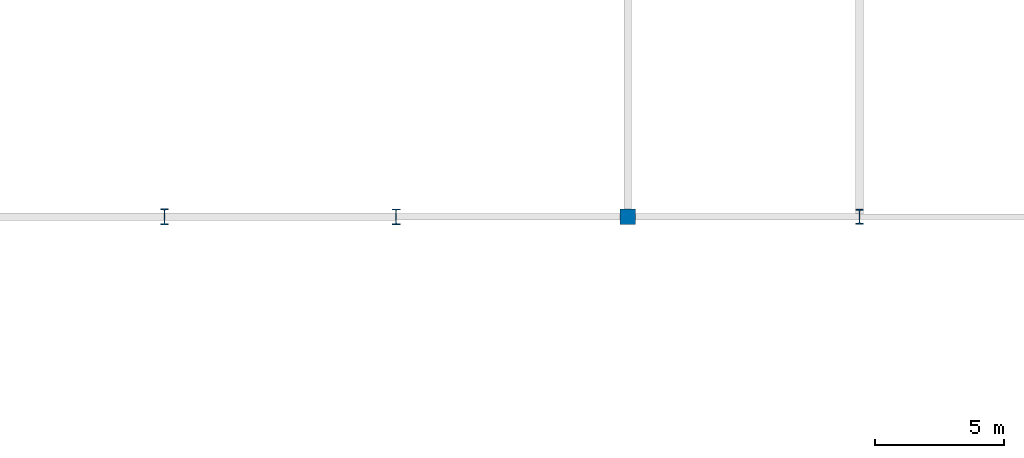
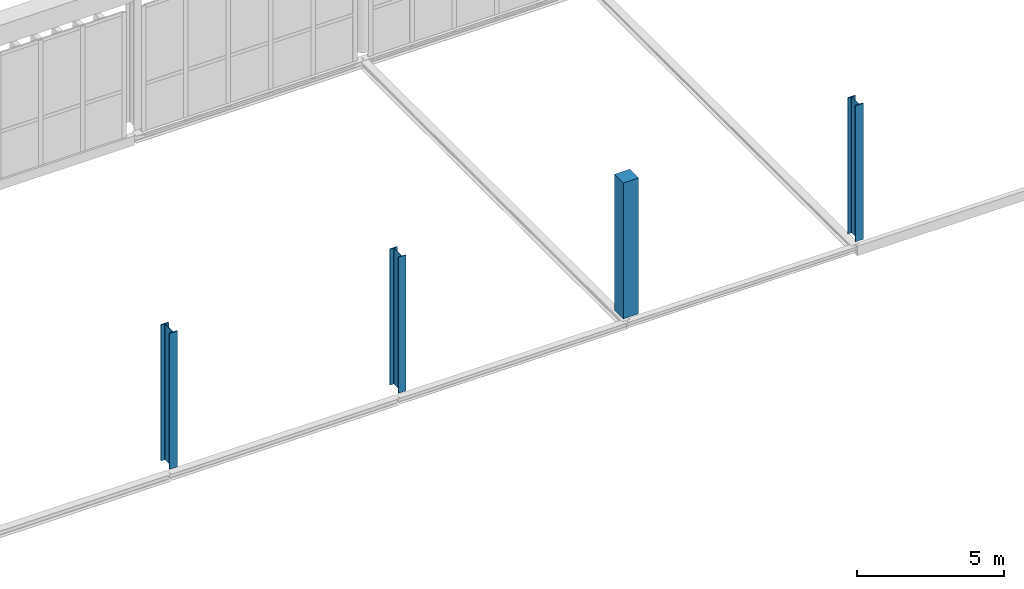
# One storey, part 9 of 237: 4 columns.
"""IFC4 building model written with IfcOpenShell, lengths in metres."""

from ifc_helpers import new_model, si_unit, direction, frame, origin, origin_2d, place, context, subcontext, project, spatial, rectangle, i_section, extrude, material, material_profile, profile_set, type_object, element, save


model = new_model("IFC4")

# Units and contexts
model_context = context("Model", 3, precision=1e-05, world=origin(), true_north=direction((0.0, 1.0)))
body_context = subcontext(model_context, "Body", "Model", "MODEL_VIEW")
ifc_project = project(units=[si_unit("LENGTHUNIT", "METRE"), si_unit("AREAUNIT", "SQUARE_METRE"), si_unit("VOLUMEUNIT", "CUBIC_METRE"), si_unit("PLANEANGLEUNIT", "RADIAN"), si_unit("MASSUNIT", "GRAM", prefix="KILO")], contexts=[model_context])

# Site, building, storey
site_placement = place(None, origin())
site = spatial("IfcSite", under=ifc_project, at=site_placement, CompositionType="ELEMENT")
building_placement = place(site_placement, origin())
building = spatial("IfcBuilding", under=site, at=building_placement, Name="Barlavento Convention Centre", CompositionType="ELEMENT")
storey_placement = place(building_placement, frame((0.0, 0.0, 12.0)))
storey = spatial("IfcBuildingStorey", under=building, at=storey_placement, Name="L02", CompositionType="ELEMENT", Elevation=12.0)

# Columns
ifc_material_1 = material(Name="Steel S355", Category="steel")
ifc_material_profile_1 = material_profile(ifc_material_1, i_section(OverallWidth=0.300048828125, OverallDepth=0.60009765625, WebThickness=0.015380859375, FlangeThickness=0.030029296875, FilletRadius=0.027099609375, at=origin_2d()), Name="HEB 600")
ifc_profile_set_1 = profile_set([ifc_material_profile_1], Name="Steel S355")
column_type_1 = type_object("IfcColumnType", Name="STR-COL-HEB600", PredefinedType="COLUMN", material=ifc_profile_set_1)
column_1_placement = place(storey_placement, frame((45.0, 117.0, 0.0), z_axis=(0.0, 0.0, 1.0), x_axis=(1.0, 0.0, 0.0)))
element("IfcColumn", 1, at=column_1_placement, inside=storey, type_object=column_type_1, Name="L02 column SC08", PredefinedType="COLUMN", context=body_context, shape_type="SweptSolid", body=[
    extrude(i_section(OverallWidth=0.300048828125, OverallDepth=0.60009765625, WebThickness=0.015380859375, FlangeThickness=0.030029296875, FilletRadius=0.027099609375, at=origin_2d()), origin(), (0.0, 0.0, 1.0), 5.655029296875),
])
ifc_material_profile_2 = material_profile(ifc_material_1, i_section(OverallWidth=0.305908203125, OverallDepth=0.572021484375, WebThickness=0.02099609375, FlangeThickness=0.0400390625, FilletRadius=0.027099609375, at=origin_2d()), Name="HEM 550")
ifc_profile_set_2 = profile_set([ifc_material_profile_2], Name="Steel S355")
column_type_2 = type_object("IfcColumnType", Name="STR-COL-HEM550", PredefinedType="COLUMN", material=ifc_profile_set_2)
column_2_placement = place(storey_placement, frame((63.0, 117.0, 0.0), z_axis=(0.0, 0.0, 1.0), x_axis=(1.0, 0.0, 0.0)))
element("IfcColumn", 2, at=column_2_placement, inside=storey, type_object=column_type_2, Name="L02 column SC06", PredefinedType="COLUMN", context=body_context, shape_type="SweptSolid", body=[
    extrude(i_section(OverallWidth=0.305908203125, OverallDepth=0.572021484375, WebThickness=0.02099609375, FlangeThickness=0.0400390625, FilletRadius=0.027099609375, at=origin_2d()), origin(), (0.0, 0.0, 1.0), 5.655029296875),
])
ifc_material_profile_3 = material_profile(ifc_material_1, i_section(OverallWidth=0.304931640625, OverallDepth=0.6201171875, WebThickness=0.02099609375, FlangeThickness=0.0400390625, FilletRadius=0.027099609375, at=origin_2d()), Name="HEM 600")
ifc_profile_set_3 = profile_set([ifc_material_profile_3], Name="Steel S355")
column_type_3 = type_object("IfcColumnType", Name="STR-COL-HEM600", PredefinedType="COLUMN", material=ifc_profile_set_3)
column_3_placement = place(storey_placement, frame((36.0, 117.0, 0.0), z_axis=(0.0, 0.0, 1.0), x_axis=(1.0, 0.0, 0.0)))
element("IfcColumn", 3, at=column_3_placement, inside=storey, type_object=column_type_3, Name="L02 column SC05", PredefinedType="COLUMN", context=body_context, shape_type="SweptSolid", body=[
    extrude(i_section(OverallWidth=0.304931640625, OverallDepth=0.6201171875, WebThickness=0.02099609375, FlangeThickness=0.0400390625, FilletRadius=0.027099609375, at=origin_2d()), origin(), (0.0, 0.0, 1.0), 5.655029296875),
])
ifc_material_2 = material(Name="Concrete C40/50", Category="concrete")
ifc_material_profile_4 = material_profile(ifc_material_2, rectangle(XDim=0.60009765625, YDim=0.60009765625, at=origin_2d()), Name="RC 600x600")
ifc_profile_set_4 = profile_set([ifc_material_profile_4], Name="Concrete C40/50")
column_type_4 = type_object("IfcColumnType", Name="STR-COL-RC600", PredefinedType="COLUMN", material=ifc_profile_set_4)
column_4_placement = place(storey_placement, frame((54.0, 117.0, 0.0), z_axis=(0.0, 0.0, 1.0), x_axis=(1.0, 0.0, 0.0)))
element("IfcColumn", 4, at=column_4_placement, inside=storey, type_object=column_type_4, Name="L02 column CC07", PredefinedType="COLUMN", context=body_context, shape_type="SweptSolid", body=[
    extrude(rectangle(XDim=0.60009765625, YDim=0.60009765625, at=origin_2d()), origin(), (0.0, 0.0, 1.0), 5.655029296875),
])

save(model, "model.ifc")
